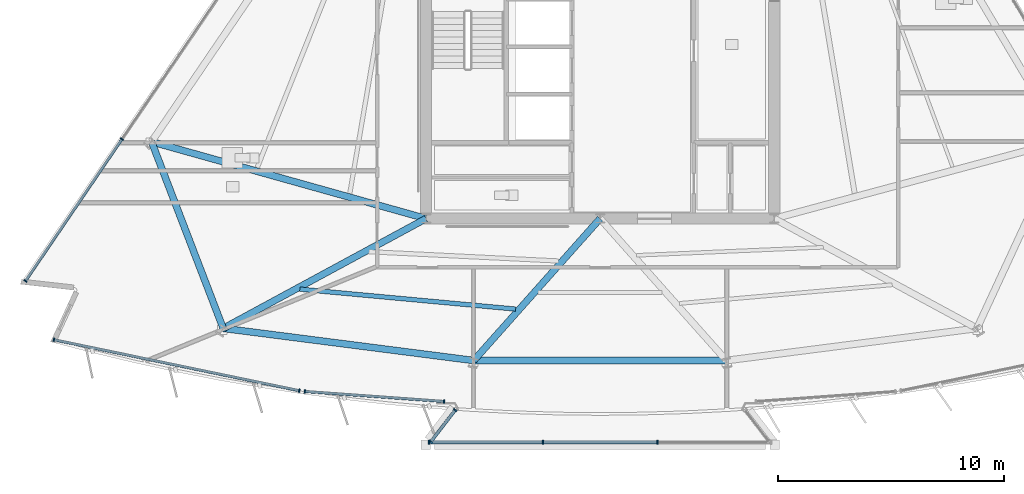
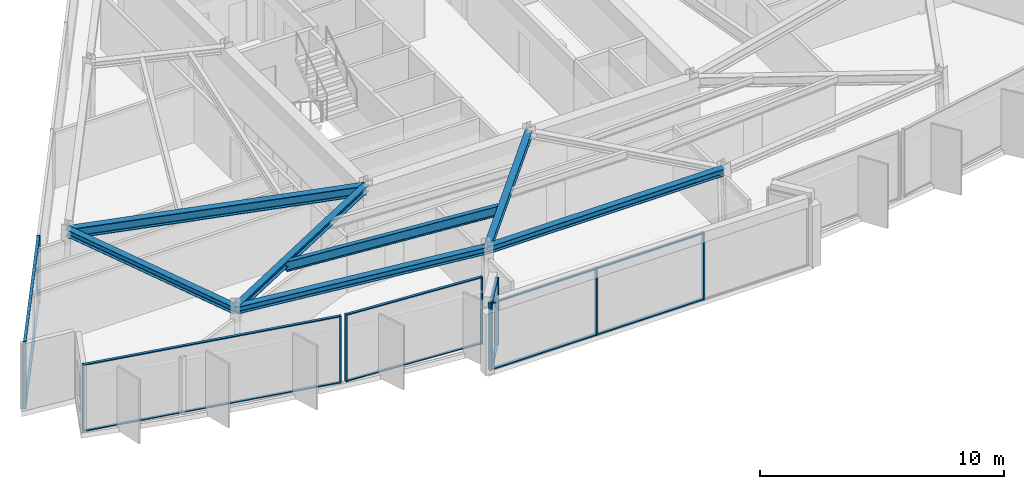
# One storey, part 2 of 14: 23 members, 7 beams, 5 elements without a shape of their own.
"""IFC4 building model written with IfcOpenShell, lengths in metres."""

from ifc_helpers import new_model, si_unit, direction, frame, origin, origin_2d, place, context, subcontext, project, spatial, rectangle, i_section, extrude, material, material_profile, profile_set, type_object, element, aggregate, save


model = new_model("IFC4")

# Units and contexts
model_context = context("Model", 3, precision=1e-05, world=origin(), true_north=direction((0.0, 1.0)))
body_context = subcontext(model_context, "Body", "Model", "MODEL_VIEW")
ifc_project = project(units=[si_unit("LENGTHUNIT", "METRE"), si_unit("AREAUNIT", "SQUARE_METRE"), si_unit("VOLUMEUNIT", "CUBIC_METRE"), si_unit("PLANEANGLEUNIT", "RADIAN"), si_unit("MASSUNIT", "GRAM", prefix="KILO")], contexts=[model_context])

# Site, building, storey
site_placement = place(None, origin())
site = spatial("IfcSite", under=ifc_project, at=site_placement, CompositionType="ELEMENT")
building_placement = place(site_placement, origin())
building = spatial("IfcBuilding", under=site, at=building_placement, Name="Savorim Split Tower", CompositionType="ELEMENT")
storey_placement = place(building_placement, frame((0.0, 0.0, 209.10009765625)))
storey = spatial("IfcBuildingStorey", under=building, at=storey_placement, Name="L55", CompositionType="ELEMENT", Elevation=209.10009765625)

# Beams
ifc_material_1 = material(Name="Steel S355", Category="steel")
ifc_material_profile_1 = material_profile(ifc_material_1, i_section(OverallWidth=0.199951171875, OverallDepth=0.5, WebThickness=0.01025390625, FlangeThickness=0.01611328125, FilletRadius=0.02099609375, at=origin_2d()), Name="IPE 500")
ifc_profile_set_1 = profile_set([ifc_material_profile_1], Name="Steel S355")
beam_type_1 = type_object("IfcBeamType", Name="BM-JST-IPE500", PredefinedType="JOIST", material=ifc_profile_set_1)
beam_1_placement = place(storey_placement, frame((-13.281494140625, -12.522216796875, 3.099853515625), z_axis=(0.995767647157, -0.09190643544, 0.0), x_axis=(0.09190643544, 0.995767647157, 0.0)))
element("IfcBeam", 1, at=beam_1_placement, inside=storey, type_object=beam_type_1, Name="L55 Secondary Floor Joist JS-01", PredefinedType="JOIST", context=body_context, shape_type="SweptSolid", body=[
    extrude(i_section(OverallWidth=0.199951171875, OverallDepth=0.5, WebThickness=0.01025390625, FlangeThickness=0.01611328125, FilletRadius=0.02099609375, at=origin_2d()), origin(), (0.0, 0.0, 1.0), 9.5869140625),
])
ifc_material_profile_2 = material_profile(ifc_material_1, i_section(OverallWidth=0.300048828125, OverallDepth=0.320068359375, WebThickness=0.011474609375, FlangeThickness=0.0205078125, FilletRadius=0.027099609375, at=origin_2d()), Name="HEB 320")
ifc_profile_set_2 = profile_set([ifc_material_profile_2], Name="Steel S355")
beam_type_2 = type_object("IfcBeamType", Name="BM-PRI-HEB320", PredefinedType="BEAM", material=ifc_profile_set_2)
beam_2_placement = place(storey_placement, frame((-16.669921875, -14.25537109375, 3.18994140625), z_axis=(0.879426004426, 0.47603561079, 0.0), x_axis=(-0.47603561079, 0.879426004426, 0.0)))
element("IfcBeam", 2, at=beam_2_placement, inside=storey, type_object=beam_type_2, Name="L55 Primary Floor Girder RG-01", PredefinedType="BEAM", context=body_context, shape_type="SweptSolid", body=[
    extrude(i_section(OverallWidth=0.300048828125, OverallDepth=0.320068359375, WebThickness=0.011474609375, FlangeThickness=0.0205078125, FilletRadius=0.027099609375, at=origin_2d()), origin(), (0.0, 0.0, 1.0), 10.19970703125),
])
beam_3_placement = place(storey_placement, frame((-5.5869140625, -15.67822265625, 3.18994140625), z_axis=(0.664774842604, 0.747043779601, 0.0), x_axis=(-0.747043779601, 0.664774842604, 0.0)))
element("IfcBeam", 3, at=beam_3_placement, inside=storey, type_object=beam_type_2, Name="L55 Primary Floor Girder RG-02", PredefinedType="BEAM", context=body_context, shape_type="SweptSolid", body=[
    extrude(i_section(OverallWidth=0.300048828125, OverallDepth=0.320068359375, WebThickness=0.011474609375, FlangeThickness=0.0205078125, FilletRadius=0.027099609375, at=origin_2d()), origin(), (0.0, 0.0, 1.0), 8.404296875),
])
ifc_material_profile_3 = material_profile(ifc_material_1, i_section(OverallWidth=0.300048828125, OverallDepth=0.5, WebThickness=0.014404296875, FlangeThickness=0.028076171875, FilletRadius=0.027099609375, at=origin_2d()), Name="HEB 500")
ifc_profile_set_3 = profile_set([ifc_material_profile_3], Name="Steel S355")
beam_type_3 = type_object("IfcBeamType", Name="BM-PRI-HEB500", PredefinedType="BEAM", material=ifc_profile_set_3)
beam_4_placement = place(storey_placement, frame((-19.8388671875, -6.00048828125, 3.099853515625), z_axis=(0.962953358416, -0.269667998684, 0.0), x_axis=(0.269667998684, 0.962953358416, 0.0)))
element("IfcBeam", 4, at=beam_4_placement, inside=storey, type_object=beam_type_3, Name="L55 Primary Floor Girder RG-10", PredefinedType="BEAM", context=body_context, shape_type="SweptSolid", body=[
    extrude(i_section(OverallWidth=0.300048828125, OverallDepth=0.5, WebThickness=0.014404296875, FlangeThickness=0.028076171875, FilletRadius=0.027099609375, at=origin_2d()), origin(), (0.0, 0.0, 1.0), 12.60595703125),
])
ifc_material_profile_4 = material_profile(ifc_material_1, i_section(OverallWidth=0.300048828125, OverallDepth=0.35009765625, WebThickness=0.010009765625, FlangeThickness=0.017578125, FilletRadius=0.027099609375, at=origin_2d()), Name="HEA 360")
ifc_profile_set_4 = profile_set([ifc_material_profile_4], Name="Steel S355")
beam_type_4 = type_object("IfcBeamType", Name="BM-SPN-HEA360", PredefinedType="SPANDREL", material=ifc_profile_set_4)
beam_5_placement = place(storey_placement, frame((-16.669921875, -14.25537109375, 3.1748046875), z_axis=(0.991859602869, -0.12733627997, 0.0), x_axis=(0.12733627997, 0.991859602869, 0.0)))
element("IfcBeam", 5, at=beam_5_placement, inside=storey, type_object=beam_type_4, Name="L55 Perimeter Spandrel Beam 1", PredefinedType="SPANDREL", context=body_context, shape_type="SweptSolid", body=[
    extrude(i_section(OverallWidth=0.300048828125, OverallDepth=0.35009765625, WebThickness=0.010009765625, FlangeThickness=0.017578125, FilletRadius=0.027099609375, at=origin_2d()), origin(), (0.0, 0.0, 1.0), 11.174072265625),
])
beam_6_placement = place(storey_placement, frame((-5.5869140625, -15.67822265625, 3.1748046875), z_axis=(1.0, 0.0, 0.0), x_axis=(0.0, 1.0, 0.0)))
element("IfcBeam", 6, at=beam_6_placement, inside=storey, type_object=beam_type_4, Name="L55 Perimeter Spandrel Beam 2", PredefinedType="SPANDREL", context=body_context, shape_type="SweptSolid", body=[
    extrude(i_section(OverallWidth=0.300048828125, OverallDepth=0.35009765625, WebThickness=0.010009765625, FlangeThickness=0.017578125, FilletRadius=0.027099609375, at=origin_2d()), origin(), (0.0, 0.0, 1.0), 11.173828125),
])
beam_7_placement = place(storey_placement, frame((-19.8388671875, -6.00048828125, 3.1748046875), z_axis=(0.358386942495, -0.933573135565, 0.0), x_axis=(0.933573135565, 0.358386942495, 0.0)))
element("IfcBeam", 7, at=beam_7_placement, inside=storey, type_object=beam_type_4, Name="L55 Perimeter Spandrel Beam 10", PredefinedType="SPANDREL", context=body_context, shape_type="SweptSolid", body=[
    extrude(i_section(OverallWidth=0.300048828125, OverallDepth=0.35009765625, WebThickness=0.010009765625, FlangeThickness=0.017578125, FilletRadius=0.027099609375, at=origin_2d()), origin(), (0.0, 0.0, 1.0), 8.84228515625),
])

# Curtain wall, members
ifc_material_2 = material(Name="Dark Ceramic-Fritted Insulated Glass", Category="glass")
curtain_wall_type_1 = type_object("IfcCurtainWallType", Name="CW-TWR-FRIT-B", PredefinedType="NOTDEFINED", material=ifc_material_2)
curtain_wall_1_placement = place(storey_placement, origin())
curtain_wall_1 = element("IfcCurtainWall", 8, at=curtain_wall_1_placement, inside=storey, type_object=curtain_wall_type_1, Name="L55 Curtain Wall CW-L55-SF1A", PredefinedType="NOTDEFINED")
ifc_material_3 = material(Name="Charcoal Anodised Aluminium", Category="aluminium")
ifc_material_profile_5 = material_profile(ifc_material_3, rectangle(XDim=0.159912109375, YDim=0.06005859375, at=origin_2d()), Name="ALU-M 160x60")
ifc_profile_set_5 = profile_set([ifc_material_profile_5], Name="Charcoal Anodised Aluminium")
member_type_1 = type_object("IfcMemberType", Name="CWM-160x60", PredefinedType="MULLION", material=ifc_profile_set_5)
member_1_placement = place(storey_placement, frame((-24.15869140625, -14.758544921875, 0.0), z_axis=(0.0, 0.0, 1.0), x_axis=(0.203210452448, 0.979135083641, 0.0)))
member_1 = element("IfcMember", 9, at=member_1_placement, type_object=member_type_1, Name="CW-03 mullion 1", PredefinedType="MULLION", context=body_context, shape_type="SweptSolid", body=[
    extrude(rectangle(XDim=0.159912109375, YDim=0.06005859375, at=origin_2d()), origin(), (0.0, 0.0, 1.0), 3.349853515625),
])
member_2_placement = place(storey_placement, frame((-13.303466796875, -17.011474609375, 0.0), z_axis=(0.0, 0.0, 1.0), x_axis=(0.203210452448, 0.979135083641, 0.0)))
member_2 = element("IfcMember", 10, at=member_2_placement, type_object=member_type_1, Name="CW-03 mullion 2", PredefinedType="MULLION", context=body_context, shape_type="SweptSolid", body=[
    extrude(rectangle(XDim=0.159912109375, YDim=0.06005859375, at=origin_2d()), origin(), (0.0, 0.0, 1.0), 3.349853515625),
])

curtain_wall_2_placement = place(storey_placement, origin())
curtain_wall_2 = element("IfcCurtainWall", 11, at=curtain_wall_2_placement, inside=storey, type_object=curtain_wall_type_1, Name="L55 Curtain Wall CW-L55-SF2A", PredefinedType="NOTDEFINED")
member_3_placement = place(storey_placement, frame((-13.062255859375, -17.044921875, 0.0), z_axis=(0.0, 0.0, 1.0), x_axis=(0.071552325109, 0.99743684751, 0.0)))
member_3 = element("IfcMember", 12, at=member_3_placement, type_object=member_type_1, Name="CW-03 mullion 1", PredefinedType="MULLION", context=body_context, shape_type="SweptSolid", body=[
    extrude(rectangle(XDim=0.159912109375, YDim=0.06005859375, at=origin_2d()), origin(), (0.0, 0.0, 1.0), 3.349853515625),
])
member_4_placement = place(storey_placement, frame((-6.8994140625, -17.487060546875, 0.0), z_axis=(0.0, 0.0, 1.0), x_axis=(0.071552325109, 0.99743684751, 0.0)))
member_4 = element("IfcMember", 13, at=member_4_placement, type_object=member_type_1, Name="CW-03 mullion 2", PredefinedType="MULLION", context=body_context, shape_type="SweptSolid", body=[
    extrude(rectangle(XDim=0.159912109375, YDim=0.06005859375, at=origin_2d()), origin(), (0.0, 0.0, 1.0), 3.349853515625),
])

curtain_wall_3_placement = place(storey_placement, origin())
curtain_wall_3 = element("IfcCurtainWall", 14, at=curtain_wall_3_placement, inside=storey, type_object=curtain_wall_type_1, Name="L55 Curtain Wall CW-L55-WEST", PredefinedType="NOTDEFINED")
member_5_placement = place(storey_placement, frame((-21.147705078125, -5.884033203125, 0.0), z_axis=(0.0, 0.0, 1.0), x_axis=(0.826820907104, -0.562465276773, 0.0)))
member_5 = element("IfcMember", 15, at=member_5_placement, type_object=member_type_1, Name="CW-03 mullion 4", PredefinedType="MULLION", context=body_context, shape_type="SweptSolid", body=[
    extrude(rectangle(XDim=0.159912109375, YDim=0.06005859375, at=origin_2d()), origin(), (0.0, 0.0, 1.0), 3.349853515625),
])
member_6_placement = place(storey_placement, frame((-25.4189453125, -12.16259765625, 0.0), z_axis=(0.0, 0.0, 1.0), x_axis=(0.826820907104, -0.562465276773, 0.0)))
member_6 = element("IfcMember", 16, at=member_6_placement, type_object=member_type_1, Name="CW-03 mullion 5", PredefinedType="MULLION", context=body_context, shape_type="SweptSolid", body=[
    extrude(rectangle(XDim=0.159912109375, YDim=0.06005859375, at=origin_2d()), origin(), (0.0, 0.0, 1.0), 3.349853515625),
])

curtain_wall_type_2 = type_object("IfcCurtainWallType", Name="CW-BAY-LOUNGE", PredefinedType="NOTDEFINED", material=ifc_material_2)
curtain_wall_4_placement = place(storey_placement, origin())
curtain_wall_4 = element("IfcCurtainWall", 17, at=curtain_wall_4_placement, inside=storey, type_object=curtain_wall_type_2, Name="L55 Curtain Wall CW-L55-BAYF", PredefinedType="NOTDEFINED")
ifc_material_profile_6 = material_profile(ifc_material_3, rectangle(XDim=0.179931640625, YDim=0.06494140625, at=origin_2d()), Name="ALU-M 180x65")
ifc_profile_set_6 = profile_set([ifc_material_profile_6], Name="Charcoal Anodised Aluminium")
member_type_2 = type_object("IfcMemberType", Name="CWM-180x65", PredefinedType="MULLION", material=ifc_profile_set_6)
member_7_placement = place(storey_placement, frame((-7.5625, -19.296142578125, 0.0), z_axis=(0.0, 0.0, 1.0), x_axis=(0.0, 1.0, 0.0)))
member_7 = element("IfcMember", 18, at=member_7_placement, type_object=member_type_2, Name="CW-04 mullion 1", PredefinedType="MULLION", context=body_context, shape_type="SweptSolid", body=[
    extrude(rectangle(XDim=0.179931640625, YDim=0.06494140625, at=origin_2d()), origin(), (0.0, 0.0, 1.0), 3.349853515625),
])
member_8_placement = place(storey_placement, frame((-2.53173828125, -19.296142578125, 0.0), z_axis=(0.0, 0.0, 1.0), x_axis=(0.0, 1.0, 0.0)))
member_8 = element("IfcMember", 19, at=member_8_placement, type_object=member_type_2, Name="CW-04 mullion 2", PredefinedType="MULLION", context=body_context, shape_type="SweptSolid", body=[
    extrude(rectangle(XDim=0.179931640625, YDim=0.06494140625, at=origin_2d()), origin(), (0.0, 0.0, 1.0), 3.349853515625),
])
member_9_placement = place(storey_placement, frame((2.53173828125, -19.296142578125, 0.0), z_axis=(0.0, 0.0, 1.0), x_axis=(0.0, 1.0, 0.0)))
member_9 = element("IfcMember", 20, at=member_9_placement, type_object=member_type_2, Name="CW-04 mullion 3", PredefinedType="MULLION", context=body_context, shape_type="SweptSolid", body=[
    extrude(rectangle(XDim=0.179931640625, YDim=0.06494140625, at=origin_2d()), origin(), (0.0, 0.0, 1.0), 3.349853515625),
])

curtain_wall_5_placement = place(storey_placement, origin())
curtain_wall_5 = element("IfcCurtainWall", 21, at=curtain_wall_5_placement, inside=storey, type_object=curtain_wall_type_2, Name="L55 Curtain Wall CW-L55-BAYW", PredefinedType="NOTDEFINED")
member_10_placement = place(storey_placement, frame((-6.4091796875, -17.8681640625, 0.0), z_axis=(0.0, 0.0, 1.0), x_axis=(0.791644427418, -0.610982078738, 0.0)))
member_10 = element("IfcMember", 22, at=member_10_placement, type_object=member_type_2, Name="CW-04 mullion 1", PredefinedType="MULLION", context=body_context, shape_type="SweptSolid", body=[
    extrude(rectangle(XDim=0.179931640625, YDim=0.06494140625, at=origin_2d()), origin(), (0.0, 0.0, 1.0), 3.349853515625),
])
member_11_placement = place(storey_placement, frame((-7.49072265625, -19.269287109375, 0.0), z_axis=(0.0, 0.0, 1.0), x_axis=(0.791644427418, -0.610982078738, 0.0)))
member_11 = element("IfcMember", 23, at=member_11_placement, type_object=member_type_2, Name="CW-04 mullion 2", PredefinedType="MULLION", context=body_context, shape_type="SweptSolid", body=[
    extrude(rectangle(XDim=0.179931640625, YDim=0.06494140625, at=origin_2d()), origin(), (0.0, 0.0, 1.0), 3.349853515625),
])

# Member
ifc_material_profile_7 = material_profile(ifc_material_3, rectangle(XDim=0.1201171875, YDim=0.050048828125, at=origin_2d()), Name="ALU-T 120x50")
ifc_profile_set_7 = profile_set([ifc_material_profile_7], Name="Charcoal Anodised Aluminium")
member_type_3 = type_object("IfcMemberType", Name="CWT-120x50", PredefinedType="USERDEFINED", material=ifc_profile_set_7)
member_12_placement = place(storey_placement, frame((-24.12939453125, -14.7646484375, 0.02490234375), z_axis=(0.979135416768, -0.203208847322, 0.0), x_axis=(0.203208847322, 0.979135416768, 0.0)))
member_12 = element("IfcMember", 24, at=member_12_placement, type_object=member_type_3, Name="CW-03 transom 1.1", ObjectType="TRANSOM", PredefinedType="USERDEFINED", context=body_context, shape_type="SweptSolid", body=[
    extrude(rectangle(XDim=0.1201171875, YDim=0.050048828125, at=origin_2d()), origin(), (0.0, 0.0, 1.0), 11.026611328125),
])

member_13_placement = place(storey_placement, frame((-24.12939453125, -14.7646484375, 3.324951171875), z_axis=(0.979135416768, -0.203208847322, 0.0), x_axis=(0.203208847322, 0.979135416768, 0.0)))
member_13 = element("IfcMember", 25, at=member_13_placement, type_object=member_type_3, Name="CW-03 transom 1.2", ObjectType="TRANSOM", PredefinedType="USERDEFINED", context=body_context, shape_type="SweptSolid", body=[
    extrude(rectangle(XDim=0.1201171875, YDim=0.050048828125, at=origin_2d()), origin(), (0.0, 0.0, 1.0), 11.026611328125),
])

aggregate(curtain_wall_1, [member_1, member_2, member_12, member_13])

member_14_placement = place(storey_placement, frame((-13.032470703125, -17.047119140625, 0.02490234375), z_axis=(0.99743759191, -0.071541947448, 0.0), x_axis=(0.071541947448, 0.99743759191, 0.0)))
member_14 = element("IfcMember", 26, at=member_14_placement, type_object=member_type_3, Name="CW-03 transom 1.1", ObjectType="TRANSOM", PredefinedType="USERDEFINED", context=body_context, shape_type="SweptSolid", body=[
    extrude(rectangle(XDim=0.1201171875, YDim=0.050048828125, at=origin_2d()), origin(), (0.0, 0.0, 1.0), 6.11865234375),
])

member_15_placement = place(storey_placement, frame((-13.032470703125, -17.047119140625, 3.324951171875), z_axis=(0.99743759191, -0.071541947448, 0.0), x_axis=(0.071541947448, 0.99743759191, 0.0)))
member_15 = element("IfcMember", 27, at=member_15_placement, type_object=member_type_3, Name="CW-03 transom 1.2", ObjectType="TRANSOM", PredefinedType="USERDEFINED", context=body_context, shape_type="SweptSolid", body=[
    extrude(rectangle(XDim=0.1201171875, YDim=0.050048828125, at=origin_2d()), origin(), (0.0, 0.0, 1.0), 6.11865234375),
])

aggregate(curtain_wall_2, [member_3, member_4, member_14, member_15])

member_16_placement = place(storey_placement, frame((-21.16455078125, -5.90869140625, 0.02490234375), z_axis=(-0.562453610104, -0.826828843523, 0.0), x_axis=(0.826828843523, -0.562453610104, 0.0)))
member_16 = element("IfcMember", 28, at=member_16_placement, type_object=member_type_3, Name="CW-03 transom 4.1", ObjectType="TRANSOM", PredefinedType="USERDEFINED", context=body_context, shape_type="SweptSolid", body=[
    extrude(rectangle(XDim=0.1201171875, YDim=0.050048828125, at=origin_2d()), origin(), (0.0, 0.0, 1.0), 7.53369140625),
])

member_17_placement = place(storey_placement, frame((-21.16455078125, -5.90869140625, 3.324951171875), z_axis=(-0.562453610104, -0.826828843523, 0.0), x_axis=(0.826828843523, -0.562453610104, 0.0)))
member_17 = element("IfcMember", 29, at=member_17_placement, type_object=member_type_3, Name="CW-03 transom 4.2", ObjectType="TRANSOM", PredefinedType="USERDEFINED", context=body_context, shape_type="SweptSolid", body=[
    extrude(rectangle(XDim=0.1201171875, YDim=0.050048828125, at=origin_2d()), origin(), (0.0, 0.0, 1.0), 7.53369140625),
])

aggregate(curtain_wall_3, [member_5, member_6, member_16, member_17])

ifc_material_profile_8 = material_profile(ifc_material_3, rectangle(XDim=0.139892578125, YDim=0.054931640625, at=origin_2d()), Name="ALU-T 140x55")
ifc_profile_set_8 = profile_set([ifc_material_profile_8], Name="Charcoal Anodised Aluminium")
member_type_4 = type_object("IfcMemberType", Name="CWT-140x55", PredefinedType="USERDEFINED", material=ifc_profile_set_8)
member_18_placement = place(storey_placement, frame((-7.530029296875, -19.296142578125, 0.02734375), z_axis=(1.0, 0.0, 0.0), x_axis=(0.0, 1.0, 0.0)))
member_18 = element("IfcMember", 30, at=member_18_placement, type_object=member_type_4, Name="CW-04 transom 1.1", ObjectType="TRANSOM", PredefinedType="USERDEFINED", context=body_context, shape_type="SweptSolid", body=[
    extrude(rectangle(XDim=0.139892578125, YDim=0.054931640625, at=origin_2d()), origin(), (0.0, 0.0, 1.0), 4.9658203125),
])

member_19_placement = place(storey_placement, frame((-7.530029296875, -19.296142578125, 3.322509765625), z_axis=(1.0, 0.0, 0.0), x_axis=(0.0, 1.0, 0.0)))
member_19 = element("IfcMember", 31, at=member_19_placement, type_object=member_type_4, Name="CW-04 transom 1.2", ObjectType="TRANSOM", PredefinedType="USERDEFINED", context=body_context, shape_type="SweptSolid", body=[
    extrude(rectangle(XDim=0.139892578125, YDim=0.054931640625, at=origin_2d()), origin(), (0.0, 0.0, 1.0), 4.9658203125),
])

member_20_placement = place(storey_placement, frame((-2.499267578125, -19.296142578125, 0.02734375), z_axis=(1.0, 0.0, 0.0), x_axis=(0.0, 1.0, 0.0)))
member_20 = element("IfcMember", 32, at=member_20_placement, type_object=member_type_4, Name="CW-04 transom 2.1", ObjectType="TRANSOM", PredefinedType="USERDEFINED", context=body_context, shape_type="SweptSolid", body=[
    extrude(rectangle(XDim=0.139892578125, YDim=0.054931640625, at=origin_2d()), origin(), (0.0, 0.0, 1.0), 4.99853515625),
])

member_21_placement = place(storey_placement, frame((-2.499267578125, -19.296142578125, 3.322509765625), z_axis=(1.0, 0.0, 0.0), x_axis=(0.0, 1.0, 0.0)))
member_21 = element("IfcMember", 33, at=member_21_placement, type_object=member_type_4, Name="CW-04 transom 2.2", ObjectType="TRANSOM", PredefinedType="USERDEFINED", context=body_context, shape_type="SweptSolid", body=[
    extrude(rectangle(XDim=0.139892578125, YDim=0.054931640625, at=origin_2d()), origin(), (0.0, 0.0, 1.0), 4.99853515625),
])

aggregate(curtain_wall_4, [member_7, member_8, member_9, member_18, member_19, member_20, member_21])

member_22_placement = place(storey_placement, frame((-6.42919921875, -17.893798828125, 0.02734375), z_axis=(-0.610872704721, -0.791728828973, 0.0), x_axis=(0.791728828973, -0.610872704721, 0.0)))
member_22 = element("IfcMember", 34, at=member_22_placement, type_object=member_type_4, Name="CW-04 transom 1.1", ObjectType="TRANSOM", PredefinedType="USERDEFINED", context=body_context, shape_type="SweptSolid", body=[
    extrude(rectangle(XDim=0.139892578125, YDim=0.054931640625, at=origin_2d()), origin(), (0.0, 0.0, 1.0), 1.704833984375),
])

member_23_placement = place(storey_placement, frame((-6.42919921875, -17.893798828125, 3.322509765625), z_axis=(-0.610872704721, -0.791728828973, 0.0), x_axis=(0.791728828973, -0.610872704721, 0.0)))
member_23 = element("IfcMember", 35, at=member_23_placement, type_object=member_type_4, Name="CW-04 transom 1.2", ObjectType="TRANSOM", PredefinedType="USERDEFINED", context=body_context, shape_type="SweptSolid", body=[
    extrude(rectangle(XDim=0.139892578125, YDim=0.054931640625, at=origin_2d()), origin(), (0.0, 0.0, 1.0), 1.704833984375),
])

aggregate(curtain_wall_5, [member_10, member_11, member_22, member_23])

save(model, "model.ifc")
